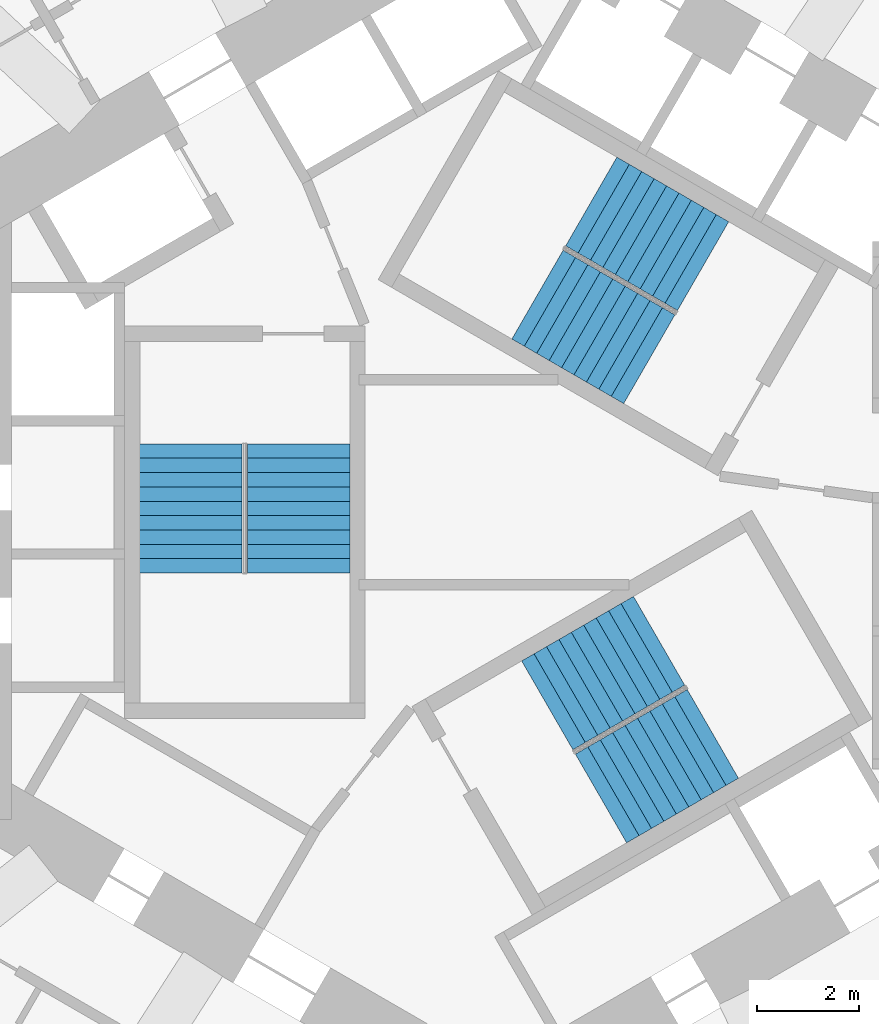
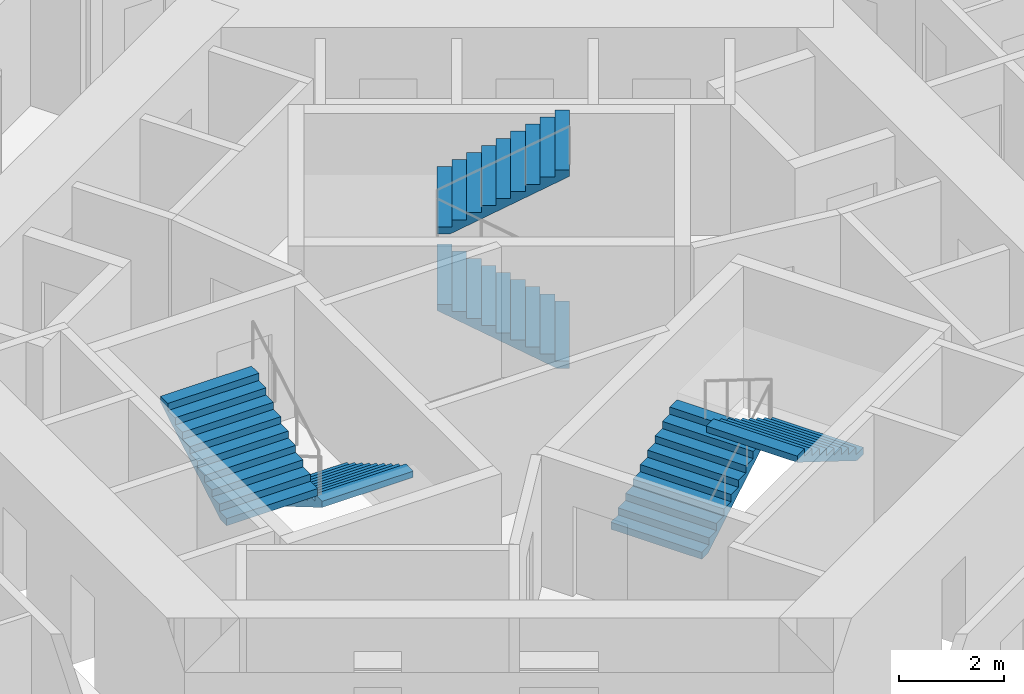
# One storey, part 10 of 12: 6 stair flights, 3 elements without a shape of their own.
"""IFC4 building model written with IfcOpenShell, lengths in metres."""

from ifc_helpers import new_model, si_unit, direction, frame, origin, place, context, subcontext, project, spatial, triangles, source, transform, mapped, material, type_object, element, aggregate, save


model = new_model("IFC4")

# Units and contexts
model_context = context("Model", 3, precision=1e-05, world=origin(), true_north=direction((0.0, 1.0)))
body_context = subcontext(model_context, "Body", "Model", "MODEL_VIEW")
ifc_project = project(units=[si_unit("LENGTHUNIT", "METRE"), si_unit("AREAUNIT", "SQUARE_METRE"), si_unit("VOLUMEUNIT", "CUBIC_METRE"), si_unit("PLANEANGLEUNIT", "RADIAN"), si_unit("MASSUNIT", "GRAM", prefix="KILO")], contexts=[model_context])

# Site, building, storey
site_placement = place(None, origin())
site = spatial("IfcSite", under=ifc_project, at=site_placement, CompositionType="ELEMENT")
building_placement = place(site_placement, origin())
building = spatial("IfcBuilding", under=site, at=building_placement, Name="Vanh Sen Convention Tower", CompositionType="ELEMENT")
storey_placement = place(building_placement, frame((0.0, 0.0, 90.199951171875)))
storey = spatial("IfcBuildingStorey", under=building, at=storey_placement, Name="L20", CompositionType="ELEMENT", Elevation=90.199951171875)

# Stair, stair flights
ifc_material_1 = material(Name="Concrete C50/60", Category="concrete")
stair_type_1 = type_object("IfcStairType", Name="Exit stair ST1 20 risers at 165.0", PredefinedType="HALF_TURN_STAIR", material=ifc_material_1)
stair_1_placement = place(storey_placement, origin())
stair_1 = element("IfcStair", 1, at=stair_1_placement, inside=storey, type_object=stair_type_1, Name="Exit stair ST1 L20", PredefinedType="HALF_TURN_STAIR")
ifc_material_2 = material(Name="Concrete C40/50", Category="concrete")
stair_flight_type = type_object("IfcStairFlightType", Name="Stair flight 2000", PredefinedType="STRAIGHT", material=ifc_material_2)
shared_shape = source(origin(), body_context, "Body", "Tessellation", [
    triangles([(0.24609375, 1.0, 0.0), (0.0, 1.0, 0.0), (0.0, 1.0, 0.1650390625), (0.280029296875, 1.0, 0.1650390625), (0.280029296875, 1.0, 0.330078125), (0.56005859375, 1.0, 0.330078125), (0.56005859375, 1.0, 0.4951171875), (0.840087890625, 1.0, 0.4951171875), (0.840087890625, 1.0, 0.659912109375), (1.1201171875, 1.0, 0.659912109375), (1.1201171875, 1.0, 0.824951171875), (1.39990234375, 1.0, 0.824951171875), (1.39990234375, 1.0, 0.989990234375), (1.679931640625, 1.0, 0.989990234375), (1.679931640625, 1.0, 1.155029296875), (1.9599609375, 1.0, 1.155029296875), (1.9599609375, 1.0, 1.320068359375), (2.239990234375, 1.0, 1.320068359375), (2.239990234375, 1.0, 1.485107421875), (2.52001953125, 1.0, 1.485107421875), (2.52001953125, 1.0, 1.33984375), (0.24609375, -1.0, 0.0), (0.0, -1.0, 0.0), (0.0, -1.0, 0.1650390625), (0.280029296875, -1.0, 0.1650390625), (0.280029296875, -1.0, 0.330078125), (0.56005859375, -1.0, 0.330078125), (0.56005859375, -1.0, 0.4951171875), (0.840087890625, -1.0, 0.4951171875), (0.840087890625, -1.0, 0.659912109375), (1.1201171875, -1.0, 0.659912109375), (1.1201171875, -1.0, 0.824951171875), (1.39990234375, -1.0, 0.824951171875), (1.39990234375, -1.0, 0.989990234375), (1.679931640625, -1.0, 0.989990234375), (1.679931640625, -1.0, 1.155029296875), (1.9599609375, -1.0, 1.155029296875), (1.9599609375, -1.0, 1.320068359375), (2.239990234375, -1.0, 1.320068359375), (2.239990234375, -1.0, 1.485107421875), (2.52001953125, -1.0, 1.485107421875), (2.52001953125, -1.0, 1.33984375), (0.0, 0.0400390625, 0.0), (0.0, 0.0390625, 0.0), (0.0, 0.0380859375, 0.0), (0.0, 0.037109375, 0.0), (0.0, 0.035888671875, 0.0), (0.0, 0.034912109375, 0.0), (0.0, 0.033935546875, 0.0), (0.0, 0.032958984375, 0.0), (0.0, 0.031982421875, 0.0), (0.0, 0.031005859375, 0.0), (0.0, 0.030029296875, 0.0), (0.0, 0.029052734375, 0.0), (0.0, 0.028076171875, 0.0), (0.0, 0.027099609375, 0.0), (0.0, 0.02587890625, 0.0), (0.0, 0.02490234375, 0.0), (0.0, 0.02392578125, 0.0), (0.0, 0.02294921875, 0.0), (0.0, 0.02197265625, 0.0), (0.0, 0.02099609375, 0.0), (0.0, 0.02001953125, 0.0), (0.0, 0.01904296875, 0.0), (0.0, 0.01806640625, 0.0), (0.0, 0.01708984375, 0.0), (0.0, 0.01611328125, 0.0), (0.0, 0.014892578125, 0.0), (0.0, 0.013916015625, 0.0), (0.0, 0.012939453125, 0.0), (0.0, 0.011962890625, 0.0), (0.0, 0.010986328125, 0.0), (0.0, 0.010009765625, 0.0), (0.0, 0.009033203125, 0.0), (0.0, 0.008056640625, 0.0), (0.0, 0.007080078125, 0.0), (0.0, 0.006103515625, 0.0), (0.0, 0.0048828125, 0.0), (0.0, 0.00390625, 0.0), (0.0, 0.0029296875, 0.0), (0.0, 0.001953125, 0.0), (0.0, 0.0009765625, 0.0), (0.0, 0.0, 0.0), (0.0, -0.0009765625, 0.0), (0.0, -0.001953125, 0.0), (0.0, -0.0029296875, 0.0), (0.0, -0.00390625, 0.0), (0.0, -0.0048828125, 0.0), (0.0, -0.006103515625, 0.0), (0.0, -0.007080078125, 0.0), (0.0, -0.008056640625, 0.0), (0.0, -0.009033203125, 0.0), (0.0, -0.010009765625, 0.0), (0.0, -0.010986328125, 0.0), (0.0, -0.011962890625, 0.0), (0.0, -0.012939453125, 0.0), (0.0, -0.013916015625, 0.0), (0.0, -0.014892578125, 0.0), (0.0, -0.01611328125, 0.0), (0.0, -0.01708984375, 0.0), (0.0, -0.01806640625, 0.0), (0.0, -0.01904296875, 0.0), (0.0, -0.02001953125, 0.0), (0.0, -0.02099609375, 0.0), (0.0, -0.02197265625, 0.0), (0.0, -0.02294921875, 0.0), (0.0, -0.02392578125, 0.0), (0.0, -0.02490234375, 0.0), (0.0, -0.02587890625, 0.0), (0.0, -0.027099609375, 0.0), (0.0, -0.028076171875, 0.0), (0.0, -0.029052734375, 0.0), (0.0, -0.030029296875, 0.0), (0.0, -0.031005859375, 0.0), (0.0, -0.031982421875, 0.0), (0.0, -0.032958984375, 0.0), (0.0, -0.033935546875, 0.0), (0.0, -0.034912109375, 0.0), (0.0, -0.035888671875, 0.0), (0.0, -0.037109375, 0.0), (0.0, -0.0380859375, 0.0), (0.0, -0.0390625, 0.0), (0.0, -0.0400390625, 0.0), (0.0, 0.0400390625, 0.1650390625), (0.0, 0.0390625, 0.1650390625), (0.0, 0.0380859375, 0.1650390625), (0.0, 0.037109375, 0.1650390625), (0.0, 0.035888671875, 0.1650390625), (0.0, 0.034912109375, 0.1650390625), (0.0, 0.033935546875, 0.1650390625), (0.0, 0.032958984375, 0.1650390625), (0.0, 0.031982421875, 0.1650390625), (0.0, 0.031005859375, 0.1650390625), (0.0, 0.030029296875, 0.1650390625), (0.0, 0.029052734375, 0.1650390625), (0.0, 0.028076171875, 0.1650390625), (0.0, 0.027099609375, 0.1650390625), (0.0, 0.02587890625, 0.1650390625), (0.0, 0.02490234375, 0.1650390625), (0.0, 0.02392578125, 0.1650390625), (0.0, 0.02294921875, 0.1650390625), (0.0, 0.02197265625, 0.1650390625), (0.0, 0.02099609375, 0.1650390625), (0.0, 0.02001953125, 0.1650390625), (0.0, 0.01904296875, 0.1650390625), (0.0, 0.01806640625, 0.1650390625), (0.0, 0.01708984375, 0.1650390625), (0.0, 0.01611328125, 0.1650390625), (0.0, 0.014892578125, 0.1650390625), (0.0, 0.013916015625, 0.1650390625), (0.0, 0.012939453125, 0.1650390625), (0.0, 0.011962890625, 0.1650390625), (0.0, 0.010986328125, 0.1650390625), (0.0, 0.010009765625, 0.1650390625), (0.0, 0.009033203125, 0.1650390625), (0.0, 0.008056640625, 0.1650390625), (0.0, 0.007080078125, 0.1650390625), (0.0, 0.006103515625, 0.1650390625), (0.0, 0.0048828125, 0.1650390625), (0.0, 0.00390625, 0.1650390625), (0.0, 0.0029296875, 0.1650390625), (0.0, 0.001953125, 0.1650390625), (0.0, 0.0009765625, 0.1650390625), (0.0, 0.0, 0.1650390625), (0.0, -0.0009765625, 0.1650390625), (0.0, -0.001953125, 0.1650390625), (0.0, -0.0029296875, 0.1650390625), (0.0, -0.00390625, 0.1650390625), (0.0, -0.0048828125, 0.1650390625), (0.0, -0.006103515625, 0.1650390625), (0.0, -0.007080078125, 0.1650390625), (0.0, -0.008056640625, 0.1650390625), (0.0, -0.009033203125, 0.1650390625), (0.0, -0.010009765625, 0.1650390625), (0.0, -0.010986328125, 0.1650390625), (0.0, -0.011962890625, 0.1650390625), (0.0, -0.012939453125, 0.1650390625), (0.0, -0.013916015625, 0.1650390625), (0.0, -0.014892578125, 0.1650390625), (0.0, -0.01611328125, 0.1650390625), (0.0, -0.01708984375, 0.1650390625), (0.0, -0.01806640625, 0.1650390625), (0.0, -0.01904296875, 0.1650390625), (0.0, -0.02001953125, 0.1650390625), (0.0, -0.02099609375, 0.1650390625), (0.0, -0.02197265625, 0.1650390625), (0.0, -0.02294921875, 0.1650390625), (0.0, -0.02392578125, 0.1650390625), (0.0, -0.02490234375, 0.1650390625), (0.0, -0.02587890625, 0.1650390625), (0.0, -0.027099609375, 0.1650390625), (0.0, -0.028076171875, 0.1650390625), (0.0, -0.029052734375, 0.1650390625), (0.0, -0.030029296875, 0.1650390625), (0.0, -0.031005859375, 0.1650390625), (0.0, -0.031982421875, 0.1650390625), (0.0, -0.032958984375, 0.1650390625), (0.0, -0.033935546875, 0.1650390625), (0.0, -0.034912109375, 0.1650390625), (0.0, -0.035888671875, 0.1650390625), (0.0, -0.037109375, 0.1650390625), (0.0, -0.0380859375, 0.1650390625), (0.0, -0.0390625, 0.1650390625), (0.0, -0.0400390625, 0.1650390625), (0.280029296875, 0.0, 0.1650390625), (0.280029296875, 0.0, 0.330078125), (0.56005859375, 0.0, 0.330078125), (0.56005859375, 0.0, 0.4951171875), (0.840087890625, 0.0, 0.4951171875), (0.840087890625, 0.0, 0.659912109375), (1.1201171875, 0.0, 0.659912109375), (1.1201171875, 0.0, 0.824951171875), (1.39990234375, 0.0, 0.824951171875), (1.39990234375, 0.0, 0.989990234375), (1.679931640625, 0.0, 0.989990234375), (1.679931640625, 0.0, 1.155029296875), (1.9599609375, 0.0, 1.155029296875), (1.9599609375, 0.0, 1.320068359375), (2.239990234375, 0.0, 1.320068359375), (2.239990234375, 0.0, 1.485107421875), (2.52001953125, 0.0400390625, 1.485107421875), (2.52001953125, 0.0390625, 1.485107421875), (2.52001953125, 0.0380859375, 1.485107421875), (2.52001953125, 0.037109375, 1.485107421875), (2.52001953125, 0.035888671875, 1.485107421875), (2.52001953125, 0.034912109375, 1.485107421875), (2.52001953125, 0.033935546875, 1.485107421875), (2.52001953125, 0.032958984375, 1.485107421875), (2.52001953125, 0.031982421875, 1.485107421875), (2.52001953125, 0.031005859375, 1.485107421875), (2.52001953125, 0.030029296875, 1.485107421875), (2.52001953125, 0.029052734375, 1.485107421875), (2.52001953125, 0.028076171875, 1.485107421875), (2.52001953125, 0.027099609375, 1.485107421875), (2.52001953125, 0.02587890625, 1.485107421875), (2.52001953125, 0.02490234375, 1.485107421875), (2.52001953125, 0.02392578125, 1.485107421875), (2.52001953125, 0.02294921875, 1.485107421875), (2.52001953125, 0.02197265625, 1.485107421875), (2.52001953125, 0.02099609375, 1.485107421875), (2.52001953125, 0.02001953125, 1.485107421875), (2.52001953125, 0.01904296875, 1.485107421875), (2.52001953125, 0.01806640625, 1.485107421875), (2.52001953125, 0.01708984375, 1.485107421875), (2.52001953125, 0.01611328125, 1.485107421875), (2.52001953125, 0.014892578125, 1.485107421875), (2.52001953125, 0.013916015625, 1.485107421875), (2.52001953125, 0.012939453125, 1.485107421875), (2.52001953125, 0.011962890625, 1.485107421875), (2.52001953125, 0.010986328125, 1.485107421875), (2.52001953125, 0.010009765625, 1.485107421875), (2.52001953125, 0.009033203125, 1.485107421875), (2.52001953125, 0.008056640625, 1.485107421875), (2.52001953125, 0.007080078125, 1.485107421875), (2.52001953125, 0.006103515625, 1.485107421875), (2.52001953125, 0.0048828125, 1.485107421875), (2.52001953125, 0.00390625, 1.485107421875), (2.52001953125, 0.0029296875, 1.485107421875), (2.52001953125, 0.001953125, 1.485107421875), (2.52001953125, 0.0009765625, 1.485107421875), (2.52001953125, 0.0, 1.485107421875), (2.52001953125, -0.0009765625, 1.485107421875), (2.52001953125, -0.001953125, 1.485107421875), (2.52001953125, -0.0029296875, 1.485107421875), (2.52001953125, -0.00390625, 1.485107421875), (2.52001953125, -0.0048828125, 1.485107421875), (2.52001953125, -0.006103515625, 1.485107421875), (2.52001953125, -0.007080078125, 1.485107421875), (2.52001953125, -0.008056640625, 1.485107421875), (2.52001953125, -0.009033203125, 1.485107421875), (2.52001953125, -0.010009765625, 1.485107421875), (2.52001953125, -0.010986328125, 1.485107421875), (2.52001953125, -0.011962890625, 1.485107421875), (2.52001953125, -0.012939453125, 1.485107421875), (2.52001953125, -0.013916015625, 1.485107421875), (2.52001953125, -0.014892578125, 1.485107421875), (2.52001953125, -0.01611328125, 1.485107421875), (2.52001953125, -0.01708984375, 1.485107421875), (2.52001953125, -0.01806640625, 1.485107421875), (2.52001953125, -0.01904296875, 1.485107421875), (2.52001953125, -0.02001953125, 1.485107421875), (2.52001953125, -0.02099609375, 1.485107421875), (2.52001953125, -0.02197265625, 1.485107421875), (2.52001953125, -0.02294921875, 1.485107421875), (2.52001953125, -0.02392578125, 1.485107421875), (2.52001953125, -0.02490234375, 1.485107421875), (2.52001953125, -0.02587890625, 1.485107421875), (2.52001953125, -0.027099609375, 1.485107421875), (2.52001953125, -0.028076171875, 1.485107421875), (2.52001953125, -0.029052734375, 1.485107421875), (2.52001953125, -0.030029296875, 1.485107421875), (2.52001953125, -0.031005859375, 1.485107421875), (2.52001953125, -0.031982421875, 1.485107421875), (2.52001953125, -0.032958984375, 1.485107421875), (2.52001953125, -0.033935546875, 1.485107421875), (2.52001953125, -0.034912109375, 1.485107421875), (2.52001953125, -0.035888671875, 1.485107421875), (2.52001953125, -0.037109375, 1.485107421875), (2.52001953125, -0.0380859375, 1.485107421875), (2.52001953125, -0.0390625, 1.485107421875), (2.52001953125, -0.0400390625, 1.485107421875), (2.52001953125, 0.0400390625, 1.33984375), (2.52001953125, 0.0390625, 1.33984375), (2.52001953125, 0.0380859375, 1.33984375), (2.52001953125, 0.037109375, 1.33984375), (2.52001953125, 0.035888671875, 1.33984375), (2.52001953125, 0.034912109375, 1.33984375), (2.52001953125, 0.033935546875, 1.33984375), (2.52001953125, 0.032958984375, 1.33984375), (2.52001953125, 0.031982421875, 1.33984375), (2.52001953125, 0.031005859375, 1.33984375), (2.52001953125, 0.030029296875, 1.33984375), (2.52001953125, 0.029052734375, 1.33984375), (2.52001953125, 0.028076171875, 1.33984375), (2.52001953125, 0.027099609375, 1.33984375), (2.52001953125, 0.02587890625, 1.33984375), (2.52001953125, 0.02490234375, 1.33984375), (2.52001953125, 0.02392578125, 1.33984375), (2.52001953125, 0.02294921875, 1.33984375), (2.52001953125, 0.02197265625, 1.33984375), (2.52001953125, 0.02099609375, 1.33984375), (2.52001953125, 0.02001953125, 1.33984375), (2.52001953125, 0.01904296875, 1.33984375), (2.52001953125, 0.01806640625, 1.33984375), (2.52001953125, 0.01708984375, 1.33984375), (2.52001953125, 0.01611328125, 1.33984375), (2.52001953125, 0.014892578125, 1.33984375), (2.52001953125, 0.013916015625, 1.33984375), (2.52001953125, 0.012939453125, 1.33984375), (2.52001953125, 0.011962890625, 1.33984375), (2.52001953125, 0.010986328125, 1.33984375), (2.52001953125, 0.010009765625, 1.33984375), (2.52001953125, 0.009033203125, 1.33984375), (2.52001953125, 0.008056640625, 1.33984375), (2.52001953125, 0.007080078125, 1.33984375), (2.52001953125, 0.006103515625, 1.33984375), (2.52001953125, 0.0048828125, 1.33984375), (2.52001953125, 0.00390625, 1.33984375), (2.52001953125, 0.0029296875, 1.33984375), (2.52001953125, 0.001953125, 1.33984375), (2.52001953125, 0.0009765625, 1.33984375), (2.52001953125, 0.0, 1.33984375), (2.52001953125, -0.0009765625, 1.33984375), (2.52001953125, -0.001953125, 1.33984375), (2.52001953125, -0.0029296875, 1.33984375), (2.52001953125, -0.00390625, 1.33984375), (2.52001953125, -0.0048828125, 1.33984375), (2.52001953125, -0.006103515625, 1.33984375), (2.52001953125, -0.007080078125, 1.33984375), (2.52001953125, -0.008056640625, 1.33984375), (2.52001953125, -0.009033203125, 1.33984375), (2.52001953125, -0.010009765625, 1.33984375), (2.52001953125, -0.010986328125, 1.33984375), (2.52001953125, -0.011962890625, 1.33984375), (2.52001953125, -0.012939453125, 1.33984375), (2.52001953125, -0.013916015625, 1.33984375), (2.52001953125, -0.014892578125, 1.33984375), (2.52001953125, -0.01611328125, 1.33984375), (2.52001953125, -0.01708984375, 1.33984375), (2.52001953125, -0.01806640625, 1.33984375), (2.52001953125, -0.01904296875, 1.33984375), (2.52001953125, -0.02001953125, 1.33984375), (2.52001953125, -0.02099609375, 1.33984375), (2.52001953125, -0.02197265625, 1.33984375), (2.52001953125, -0.02294921875, 1.33984375), (2.52001953125, -0.02392578125, 1.33984375), (2.52001953125, -0.02490234375, 1.33984375), (2.52001953125, -0.02587890625, 1.33984375), (2.52001953125, -0.027099609375, 1.33984375), (2.52001953125, -0.028076171875, 1.33984375), (2.52001953125, -0.029052734375, 1.33984375), (2.52001953125, -0.030029296875, 1.33984375), (2.52001953125, -0.031005859375, 1.33984375), (2.52001953125, -0.031982421875, 1.33984375), (2.52001953125, -0.032958984375, 1.33984375), (2.52001953125, -0.033935546875, 1.33984375), (2.52001953125, -0.034912109375, 1.33984375), (2.52001953125, -0.035888671875, 1.33984375), (2.52001953125, -0.037109375, 1.33984375), (2.52001953125, -0.0380859375, 1.33984375), (2.52001953125, -0.0390625, 1.33984375), (2.52001953125, -0.0400390625, 1.33984375), (0.24609375, 0.0, 0.0)], [[1, 2, 3], [1, 3, 4], [4, 5, 6], [1, 4, 6], [6, 7, 8], [1, 6, 8], [8, 9, 10], [1, 8, 10], [10, 11, 12], [1, 10, 12], [12, 13, 14], [1, 12, 14], [14, 15, 16], [1, 14, 16], [16, 17, 18], [1, 16, 18], [18, 19, 20], [1, 18, 20], [20, 21, 1], [22, 24, 23], [22, 25, 24], [25, 27, 26], [22, 27, 25], [27, 29, 28], [22, 29, 27], [29, 31, 30], [22, 31, 29], [31, 33, 32], [22, 33, 31], [33, 35, 34], [22, 35, 33], [35, 37, 36], [22, 37, 35], [37, 39, 38], [22, 39, 37], [39, 41, 40], [22, 41, 39], [41, 22, 42], [2, 124, 3], [2, 43, 124], [43, 125, 124], [43, 44, 125], [44, 126, 125], [44, 45, 126], [45, 127, 126], [45, 46, 127], [46, 128, 127], [46, 47, 128], [47, 129, 128], [47, 48, 129], [48, 130, 129], [48, 49, 130], [49, 131, 130], [49, 50, 131], [50, 132, 131], [50, 51, 132], [51, 133, 132], [51, 52, 133], [52, 134, 133], [52, 53, 134], [53, 135, 134], [53, 54, 135], [54, 136, 135], [54, 55, 136], [55, 137, 136], [55, 56, 137], [56, 138, 137], [56, 57, 138], [57, 139, 138], [57, 58, 139], [58, 140, 139], [58, 59, 140], [59, 141, 140], [59, 60, 141], [60, 142, 141], [60, 61, 142], [61, 143, 142], [61, 62, 143], [62, 144, 143], [62, 63, 144], [63, 145, 144], [63, 64, 145], [64, 146, 145], [64, 65, 146], [65, 147, 146], [65, 66, 147], [66, 148, 147], [66, 67, 148], [67, 149, 148], [67, 68, 149], [68, 150, 149], [68, 69, 150], [69, 151, 150], [69, 70, 151], [70, 152, 151], [70, 71, 152], [71, 153, 152], [71, 72, 153], [72, 154, 153], [72, 73, 154], [73, 155, 154], [73, 74, 155], [74, 156, 155], [74, 75, 156], [75, 157, 156], [75, 76, 157], [76, 158, 157], [76, 77, 158], [77, 159, 158], [77, 78, 159], [78, 160, 159], [78, 79, 160], [79, 161, 160], [79, 80, 161], [80, 162, 161], [80, 81, 162], [81, 163, 162], [81, 82, 163], [82, 164, 163], [82, 83, 164], [83, 84, 164], [164, 84, 165], [84, 85, 165], [165, 85, 166], [85, 86, 166], [166, 86, 167], [86, 87, 167], [167, 87, 168], [87, 88, 168], [168, 88, 169], [88, 89, 169], [169, 89, 170], [89, 90, 170], [170, 90, 171], [90, 91, 171], [171, 91, 172], [91, 92, 172], [172, 92, 173], [92, 93, 173], [173, 93, 174], [93, 94, 174], [174, 94, 175], [94, 95, 175], [175, 95, 176], [95, 96, 176], [176, 96, 177], [96, 97, 177], [177, 97, 178], [97, 98, 178], [178, 98, 179], [98, 99, 179], [179, 99, 180], [99, 100, 180], [180, 100, 181], [100, 101, 181], [181, 101, 182], [101, 102, 182], [182, 102, 183], [102, 103, 183], [183, 103, 184], [103, 104, 184], [184, 104, 185], [104, 105, 185], [185, 105, 186], [105, 106, 186], [186, 106, 187], [106, 107, 187], [187, 107, 188], [107, 108, 188], [188, 108, 189], [108, 109, 189], [189, 109, 190], [109, 110, 190], [190, 110, 191], [110, 111, 191], [191, 111, 192], [111, 112, 192], [192, 112, 193], [112, 113, 193], [193, 113, 194], [113, 114, 194], [194, 114, 195], [114, 115, 195], [195, 115, 196], [115, 116, 196], [196, 116, 197], [116, 117, 197], [197, 117, 198], [117, 118, 198], [198, 118, 199], [118, 119, 199], [199, 119, 200], [119, 120, 200], [200, 120, 201], [120, 121, 201], [201, 121, 202], [121, 122, 202], [202, 122, 203], [122, 123, 203], [203, 123, 204], [123, 23, 204], [204, 23, 24], [4, 3, 124], [4, 124, 125], [4, 125, 126], [4, 126, 127], [4, 127, 128], [4, 128, 129], [4, 129, 130], [4, 130, 131], [4, 131, 132], [4, 132, 133], [4, 133, 134], [4, 134, 135], [4, 135, 136], [4, 136, 137], [4, 137, 138], [4, 138, 139], [4, 139, 140], [4, 140, 141], [4, 141, 142], [4, 142, 143], [4, 143, 144], [4, 144, 145], [4, 145, 146], [4, 146, 147], [4, 147, 148], [4, 148, 149], [4, 149, 150], [4, 150, 151], [4, 151, 152], [4, 152, 153], [4, 153, 154], [4, 154, 155], [4, 155, 156], [4, 156, 157], [4, 157, 158], [4, 158, 159], [4, 159, 160], [4, 160, 161], [4, 161, 162], [4, 162, 163], [4, 163, 164], [25, 164, 165], [25, 165, 166], [25, 166, 167], [25, 167, 168], [25, 168, 169], [25, 169, 170], [25, 170, 171], [25, 171, 172], [25, 172, 173], [25, 173, 174], [25, 174, 175], [25, 175, 176], [25, 176, 177], [25, 177, 178], [25, 178, 179], [25, 179, 180], [25, 180, 181], [25, 181, 182], [25, 182, 183], [25, 183, 184], [25, 184, 185], [25, 185, 186], [25, 186, 187], [25, 187, 188], [25, 188, 189], [25, 189, 190], [25, 190, 191], [25, 191, 192], [25, 192, 193], [25, 193, 194], [25, 194, 195], [25, 195, 196], [25, 196, 197], [25, 197, 198], [25, 198, 199], [25, 199, 200], [25, 200, 201], [25, 201, 202], [25, 202, 203], [25, 203, 204], [25, 204, 24], [4, 164, 205], [25, 205, 164], [4, 206, 5], [4, 205, 206], [205, 25, 206], [206, 25, 26], [5, 207, 6], [5, 206, 207], [206, 26, 207], [207, 26, 27], [6, 208, 7], [6, 207, 208], [207, 27, 208], [208, 27, 28], [7, 209, 8], [7, 208, 209], [208, 28, 209], [209, 28, 29], [8, 210, 9], [8, 209, 210], [209, 29, 210], [210, 29, 30], [9, 211, 10], [9, 210, 211], [210, 30, 211], [211, 30, 31], [10, 212, 11], [10, 211, 212], [211, 31, 212], [212, 31, 32], [11, 213, 12], [11, 212, 213], [212, 32, 213], [213, 32, 33], [12, 214, 13], [12, 213, 214], [213, 33, 214], [214, 33, 34], [13, 215, 14], [13, 214, 215], [214, 34, 215], [215, 34, 35], [14, 216, 15], [14, 215, 216], [215, 35, 216], [216, 35, 36], [15, 217, 16], [15, 216, 217], [216, 36, 217], [217, 36, 37], [16, 218, 17], [16, 217, 218], [217, 37, 218], [218, 37, 38], [17, 219, 18], [17, 218, 219], [218, 38, 219], [219, 38, 39], [18, 220, 19], [18, 219, 220], [219, 39, 220], [220, 39, 40], [19, 221, 20], [19, 222, 221], [19, 223, 222], [19, 224, 223], [19, 225, 224], [19, 226, 225], [19, 227, 226], [19, 228, 227], [19, 229, 228], [19, 230, 229], [19, 231, 230], [19, 232, 231], [19, 233, 232], [19, 234, 233], [19, 235, 234], [19, 236, 235], [19, 237, 236], [19, 238, 237], [19, 239, 238], [19, 240, 239], [19, 241, 240], [19, 242, 241], [19, 243, 242], [19, 244, 243], [19, 245, 244], [19, 246, 245], [19, 247, 246], [19, 248, 247], [19, 249, 248], [19, 250, 249], [19, 251, 250], [19, 252, 251], [19, 253, 252], [19, 254, 253], [19, 255, 254], [19, 256, 255], [19, 257, 256], [19, 258, 257], [19, 259, 258], [19, 260, 259], [19, 261, 260], [40, 262, 261], [40, 263, 262], [40, 264, 263], [40, 265, 264], [40, 266, 265], [40, 267, 266], [40, 268, 267], [40, 269, 268], [40, 270, 269], [40, 271, 270], [40, 272, 271], [40, 273, 272], [40, 274, 273], [40, 275, 274], [40, 276, 275], [40, 277, 276], [40, 278, 277], [40, 279, 278], [40, 280, 279], [40, 281, 280], [40, 282, 281], [40, 283, 282], [40, 284, 283], [40, 285, 284], [40, 286, 285], [40, 287, 286], [40, 288, 287], [40, 289, 288], [40, 290, 289], [40, 291, 290], [40, 292, 291], [40, 293, 292], [40, 294, 293], [40, 295, 294], [40, 296, 295], [40, 297, 296], [40, 298, 297], [40, 299, 298], [40, 300, 299], [40, 301, 300], [40, 41, 301], [19, 220, 261], [40, 261, 220], [20, 302, 21], [20, 221, 302], [221, 303, 302], [221, 222, 303], [222, 304, 303], [222, 223, 304], [223, 305, 304], [223, 224, 305], [224, 306, 305], [224, 225, 306], [225, 307, 306], [225, 226, 307], [226, 308, 307], [226, 227, 308], [227, 309, 308], [227, 228, 309], [228, 310, 309], [228, 229, 310], [229, 311, 310], [229, 230, 311], [230, 312, 311], [230, 231, 312], [231, 313, 312], [231, 232, 313], [232, 314, 313], [232, 233, 314], [233, 315, 314], [233, 234, 315], [234, 316, 315], [234, 235, 316], [235, 317, 316], [235, 236, 317], [236, 318, 317], [236, 237, 318], [237, 319, 318], [237, 238, 319], [238, 320, 319], [238, 239, 320], [239, 321, 320], [239, 240, 321], [240, 322, 321], [240, 241, 322], [241, 323, 322], [241, 242, 323], [242, 324, 323], [242, 243, 324], [243, 325, 324], [243, 244, 325], [244, 326, 325], [244, 245, 326], [245, 327, 326], [245, 246, 327], [246, 328, 327], [246, 247, 328], [247, 329, 328], [247, 248, 329], [248, 330, 329], [248, 249, 330], [249, 331, 330], [249, 250, 331], [250, 332, 331], [250, 251, 332], [251, 333, 332], [251, 252, 333], [252, 334, 333], [252, 253, 334], [253, 335, 334], [253, 254, 335], [254, 336, 335], [254, 255, 336], [255, 337, 336], [255, 256, 337], [256, 338, 337], [256, 257, 338], [257, 339, 338], [257, 258, 339], [258, 340, 339], [258, 259, 340], [259, 341, 340], [259, 260, 341], [260, 342, 341], [260, 261, 342], [261, 262, 342], [342, 262, 343], [262, 263, 343], [343, 263, 344], [263, 264, 344], [344, 264, 345], [264, 265, 345], [345, 265, 346], [265, 266, 346], [346, 266, 347], [266, 267, 347], [347, 267, 348], [267, 268, 348], [348, 268, 349], [268, 269, 349], [349, 269, 350], [269, 270, 350], [350, 270, 351], [270, 271, 351], [351, 271, 352], [271, 272, 352], [352, 272, 353], [272, 273, 353], [353, 273, 354], [273, 274, 354], [354, 274, 355], [274, 275, 355], [355, 275, 356], [275, 276, 356], [356, 276, 357], [276, 277, 357], [357, 277, 358], [277, 278, 358], [358, 278, 359], [278, 279, 359], [359, 279, 360], [279, 280, 360], [360, 280, 361], [280, 281, 361], [361, 281, 362], [281, 282, 362], [362, 282, 363], [282, 283, 363], [363, 283, 364], [283, 284, 364], [364, 284, 365], [284, 285, 365], [365, 285, 366], [285, 286, 366], [366, 286, 367], [286, 287, 367], [367, 287, 368], [287, 288, 368], [368, 288, 369], [288, 289, 369], [369, 289, 370], [289, 290, 370], [370, 290, 371], [290, 291, 371], [371, 291, 372], [291, 292, 372], [372, 292, 373], [292, 293, 373], [373, 293, 374], [293, 294, 374], [374, 294, 375], [294, 295, 375], [375, 295, 376], [295, 296, 376], [376, 296, 377], [296, 297, 377], [377, 297, 378], [297, 298, 378], [378, 298, 379], [298, 299, 379], [379, 299, 380], [299, 300, 380], [380, 300, 381], [300, 301, 381], [381, 301, 382], [301, 41, 382], [382, 41, 42], [1, 21, 302], [1, 302, 303], [1, 303, 304], [1, 304, 305], [1, 305, 306], [1, 306, 307], [1, 307, 308], [1, 308, 309], [1, 309, 310], [1, 310, 311], [1, 311, 312], [1, 312, 313], [1, 313, 314], [1, 314, 315], [1, 315, 316], [1, 316, 317], [1, 317, 318], [1, 318, 319], [1, 319, 320], [1, 320, 321], [1, 321, 322], [1, 322, 323], [1, 323, 324], [1, 324, 325], [1, 325, 326], [1, 326, 327], [1, 327, 328], [1, 328, 329], [1, 329, 330], [1, 330, 331], [1, 331, 332], [1, 332, 333], [1, 333, 334], [1, 334, 335], [1, 335, 336], [1, 336, 337], [1, 337, 338], [1, 338, 339], [1, 339, 340], [1, 340, 341], [1, 341, 342], [22, 342, 343], [22, 343, 344], [22, 344, 345], [22, 345, 346], [22, 346, 347], [22, 347, 348], [22, 348, 349], [22, 349, 350], [22, 350, 351], [22, 351, 352], [22, 352, 353], [22, 353, 354], [22, 354, 355], [22, 355, 356], [22, 356, 357], [22, 357, 358], [22, 358, 359], [22, 359, 360], [22, 360, 361], [22, 361, 362], [22, 362, 363], [22, 363, 364], [22, 364, 365], [22, 365, 366], [22, 366, 367], [22, 367, 368], [22, 368, 369], [22, 369, 370], [22, 370, 371], [22, 371, 372], [22, 372, 373], [22, 373, 374], [22, 374, 375], [22, 375, 376], [22, 376, 377], [22, 377, 378], [22, 378, 379], [22, 379, 380], [22, 380, 381], [22, 381, 382], [22, 382, 42], [1, 342, 383], [22, 383, 342], [1, 43, 2], [1, 44, 43], [1, 45, 44], [1, 46, 45], [1, 47, 46], [1, 48, 47], [1, 49, 48], [1, 50, 49], [1, 51, 50], [1, 52, 51], [1, 53, 52], [1, 54, 53], [1, 55, 54], [1, 56, 55], [1, 57, 56], [1, 58, 57], [1, 59, 58], [1, 60, 59], [1, 61, 60], [1, 62, 61], [1, 63, 62], [1, 64, 63], [1, 65, 64], [1, 66, 65], [1, 67, 66], [1, 68, 67], [1, 69, 68], [1, 70, 69], [1, 71, 70], [1, 72, 71], [1, 73, 72], [1, 74, 73], [1, 75, 74], [1, 76, 75], [1, 77, 76], [1, 78, 77], [1, 79, 78], [1, 80, 79], [1, 81, 80], [1, 82, 81], [1, 83, 82], [22, 84, 83], [22, 85, 84], [22, 86, 85], [22, 87, 86], [22, 88, 87], [22, 89, 88], [22, 90, 89], [22, 91, 90], [22, 92, 91], [22, 93, 92], [22, 94, 93], [22, 95, 94], [22, 96, 95], [22, 97, 96], [22, 98, 97], [22, 99, 98], [22, 100, 99], [22, 101, 100], [22, 102, 101], [22, 103, 102], [22, 104, 103], [22, 105, 104], [22, 106, 105], [22, 107, 106], [22, 108, 107], [22, 109, 108], [22, 110, 109], [22, 111, 110], [22, 112, 111], [22, 113, 112], [22, 114, 113], [22, 115, 114], [22, 116, 115], [22, 117, 116], [22, 118, 117], [22, 119, 118], [22, 120, 119], [22, 121, 120], [22, 122, 121], [22, 123, 122], [22, 23, 123], [1, 383, 83], [22, 83, 383]], closed=True),
])
stair_flight_1_placement = place(storey_placement, frame((2.94580078125, 2.802490234375, 0.0), z_axis=(0.0, 0.0, 1.0), x_axis=(-0.866025403784, 0.5, 0.0)))
stair_flight_1 = element("IfcStairFlight", 2, at=stair_flight_1_placement, type_object=stair_flight_type, Name="ST1 flight 1", NumberOfRisers=10, NumberOfTreads=9, PredefinedType="STRAIGHT", RiserHeight=0.165, TreadLength=0.28, context=body_context, shape_type="MappedRepresentation", body=[
    mapped(shared_shape, transform((0.0, 0.0, 0.0))),
])
stair_flight_2_placement = place(storey_placement, frame((1.8134765625, 5.881103515625, 1.650146484375), z_axis=(0.0, 0.0, 1.0), x_axis=(0.866025403784, -0.5, 0.0)))
stair_flight_2 = element("IfcStairFlight", 3, at=stair_flight_2_placement, type_object=stair_flight_type, Name="ST1 flight 2", NumberOfRisers=10, NumberOfTreads=9, PredefinedType="STRAIGHT", RiserHeight=0.165, TreadLength=0.28, context=body_context, shape_type="MappedRepresentation", body=[
    mapped(shared_shape, transform((0.0, 0.0, 0.0))),
])
aggregate(stair_1, [stair_flight_1, stair_flight_2])

stair_type_2 = type_object("IfcStairType", Name="Exit stair ST2 20 risers at 165.0", PredefinedType="HALF_TURN_STAIR", material=ifc_material_1)
stair_2_placement = place(storey_placement, origin())
stair_2 = element("IfcStair", 4, at=stair_2_placement, inside=storey, type_object=stair_type_2, Name="Exit stair ST2 L20", PredefinedType="HALF_TURN_STAIR")
stair_flight_3_placement = place(storey_placement, frame((-3.89990234375, 1.14990234375, 0.0), z_axis=(0.0, 0.0, 1.0), x_axis=(0.0, -1.0, 0.0)))
stair_flight_3 = element("IfcStairFlight", 5, at=stair_flight_3_placement, type_object=stair_flight_type, Name="ST2 flight 1", NumberOfRisers=10, NumberOfTreads=9, PredefinedType="STRAIGHT", RiserHeight=0.165, TreadLength=0.28, context=body_context, shape_type="MappedRepresentation", body=[
    mapped(shared_shape, transform((0.0, 0.0, 0.0))),
])
stair_flight_4_placement = place(storey_placement, frame((-6.0, -1.3701171875, 1.650146484375), z_axis=(0.0, 0.0, 1.0), x_axis=(0.0, 1.0, 0.0)))
stair_flight_4 = element("IfcStairFlight", 6, at=stair_flight_4_placement, type_object=stair_flight_type, Name="ST2 flight 2", NumberOfRisers=10, NumberOfTreads=9, PredefinedType="STRAIGHT", RiserHeight=0.165, TreadLength=0.28, context=body_context, shape_type="MappedRepresentation", body=[
    mapped(shared_shape, transform((0.0, 0.0, 0.0))),
])
aggregate(stair_2, [stair_flight_3, stair_flight_4])

stair_type_3 = type_object("IfcStairType", Name="Exit stair ST3 20 risers at 165.0", PredefinedType="HALF_TURN_STAIR", material=ifc_material_1)
stair_3_placement = place(storey_placement, origin())
stair_3 = element("IfcStair", 7, at=stair_3_placement, inside=storey, type_object=stair_type_3, Name="Exit stair ST3 L20", PredefinedType="HALF_TURN_STAIR")
stair_flight_5_placement = place(storey_placement, frame((0.9541015625, -3.952392578125, 0.0), z_axis=(0.0, 0.0, 1.0), x_axis=(0.866025403784, 0.5, 0.0)))
stair_flight_5 = element("IfcStairFlight", 8, at=stair_flight_5_placement, type_object=stair_flight_type, Name="ST3 flight 1", NumberOfRisers=10, NumberOfTreads=9, PredefinedType="STRAIGHT", RiserHeight=0.165, TreadLength=0.28, context=body_context, shape_type="MappedRepresentation", body=[
    mapped(shared_shape, transform((0.0, 0.0, 0.0))),
])
stair_flight_6_placement = place(storey_placement, frame((4.1865234375, -4.51123046875, 1.650146484375), z_axis=(0.0, 0.0, 1.0), x_axis=(-0.866025403784, -0.5, 0.0)))
stair_flight_6 = element("IfcStairFlight", 9, at=stair_flight_6_placement, type_object=stair_flight_type, Name="ST3 flight 2", NumberOfRisers=10, NumberOfTreads=9, PredefinedType="STRAIGHT", RiserHeight=0.165, TreadLength=0.28, context=body_context, shape_type="MappedRepresentation", body=[
    mapped(shared_shape, transform((0.0, 0.0, 0.0))),
])
aggregate(stair_3, [stair_flight_5, stair_flight_6])

save(model, "model.ifc")
